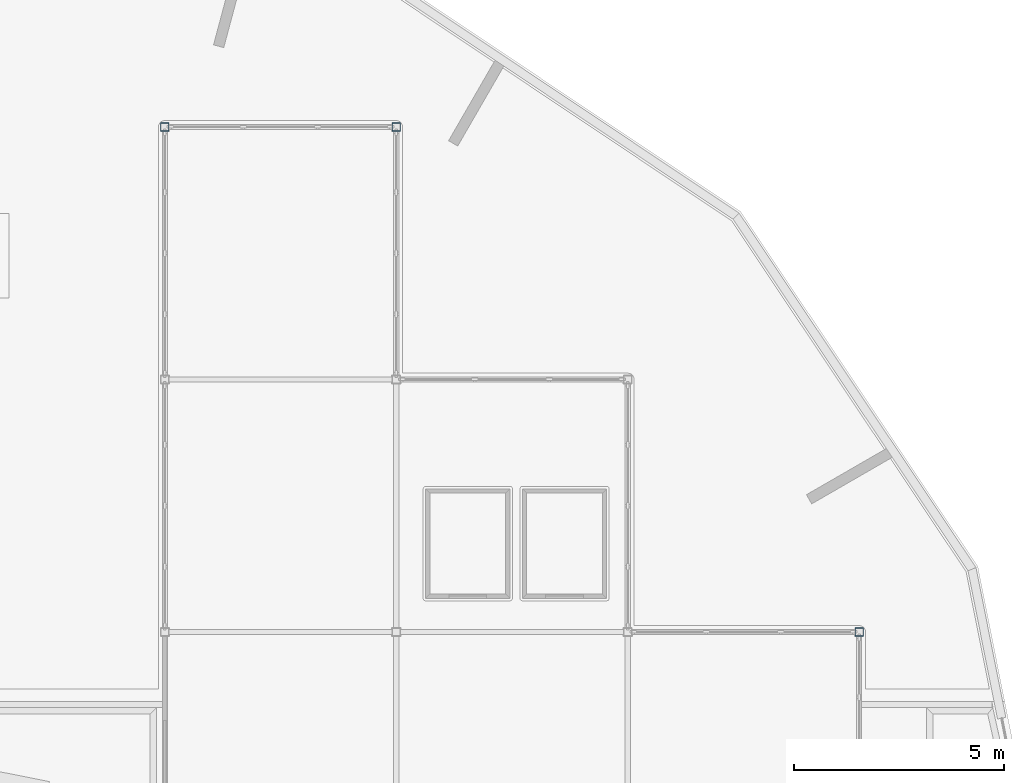
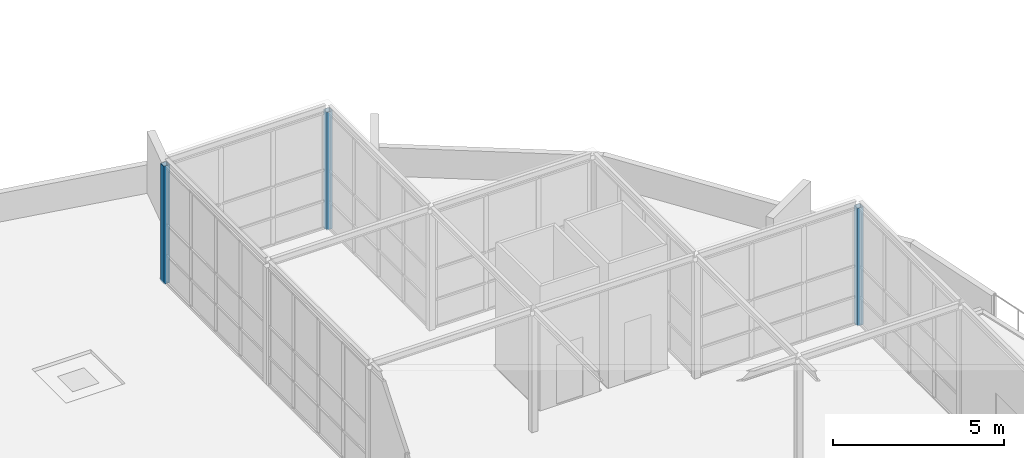
# One storey, part 3 of 40: 3 columns.
"""IFC4 building model written with IfcOpenShell, lengths in metres."""

from ifc_helpers import new_model, si_unit, direction, frame, origin, origin_2d, place, context, subcontext, project, spatial, hollow_rectangle, extrude, material, material_profile, profile_set, type_object, element, save


model = new_model("IFC4")

# Units and contexts
model_context = context("Model", 3, precision=1e-05, world=origin(), true_north=direction((0.0, 1.0)))
body_context = subcontext(model_context, "Body", "Model", "MODEL_VIEW")
ifc_project = project(units=[si_unit("LENGTHUNIT", "METRE"), si_unit("AREAUNIT", "SQUARE_METRE"), si_unit("VOLUMEUNIT", "CUBIC_METRE"), si_unit("PLANEANGLEUNIT", "RADIAN"), si_unit("MASSUNIT", "GRAM", prefix="KILO")], contexts=[model_context])

# Site, building, storey
site_placement = place(None, origin())
site = spatial("IfcSite", under=ifc_project, at=site_placement, CompositionType="ELEMENT")
building_placement = place(site_placement, origin())
building = spatial("IfcBuilding", under=site, at=building_placement, Name="Ceibo Conservatory and Research Tower", CompositionType="ELEMENT")
storey_placement = place(building_placement, frame((0.0, 0.0, 6.0)))
storey = spatial("IfcBuildingStorey", under=building, at=storey_placement, Name="L01", CompositionType="ELEMENT", Elevation=6.0)

# Columns
ifc_material = material(Name="Steel S355J2H", Category="steel")
ifc_material_profile = material_profile(ifc_material, hollow_rectangle(XDim=0.199951171875, YDim=0.199951171875, WallThickness=0.010009765625, at=origin_2d()), Name="Sky gallery RHS column 200x200x10")
ifc_profile_set = profile_set([ifc_material_profile], Name="Steel S355J2H")
column_type = type_object("IfcColumnType", Name="Sky gallery RHS column 200x200x10", PredefinedType="COLUMN", material=ifc_profile_set)
for number, where, z_axis, x_axis, name in (
    (1, (172.699951171875, 56.39990234375, -0.050048828125), (0.0, 0.0, 1.0), (1.0, 0.0, 0.0), "Sky Gallery column VC-SC05"),
    (2, (178.199951171875, 56.39990234375, -0.050048828125), (0.0, 0.0, 1.0), (1.0, 0.0, 0.0), "Sky Gallery column VC-SC15"),
    (3, (189.199951171875, 44.39990234375, -0.050048828125), (0.0, 0.0, 1.0), (1.0, 0.0, 0.0), "Sky Gallery column VC-SC33"),
):
    element("IfcColumn", number, at=place(storey_placement, frame(where, z_axis=z_axis, x_axis=x_axis)), inside=storey, type_object=column_type, Name=name, PredefinedType="COLUMN", context=body_context, shape_type="SweptSolid", body=[
        extrude(hollow_rectangle(XDim=0.199951171875, YDim=0.199951171875, WallThickness=0.010009765625, at=origin_2d()), origin(), (0.0, 0.0, 1.0), 4.2099609375),
    ])

save(model, "model.ifc")
